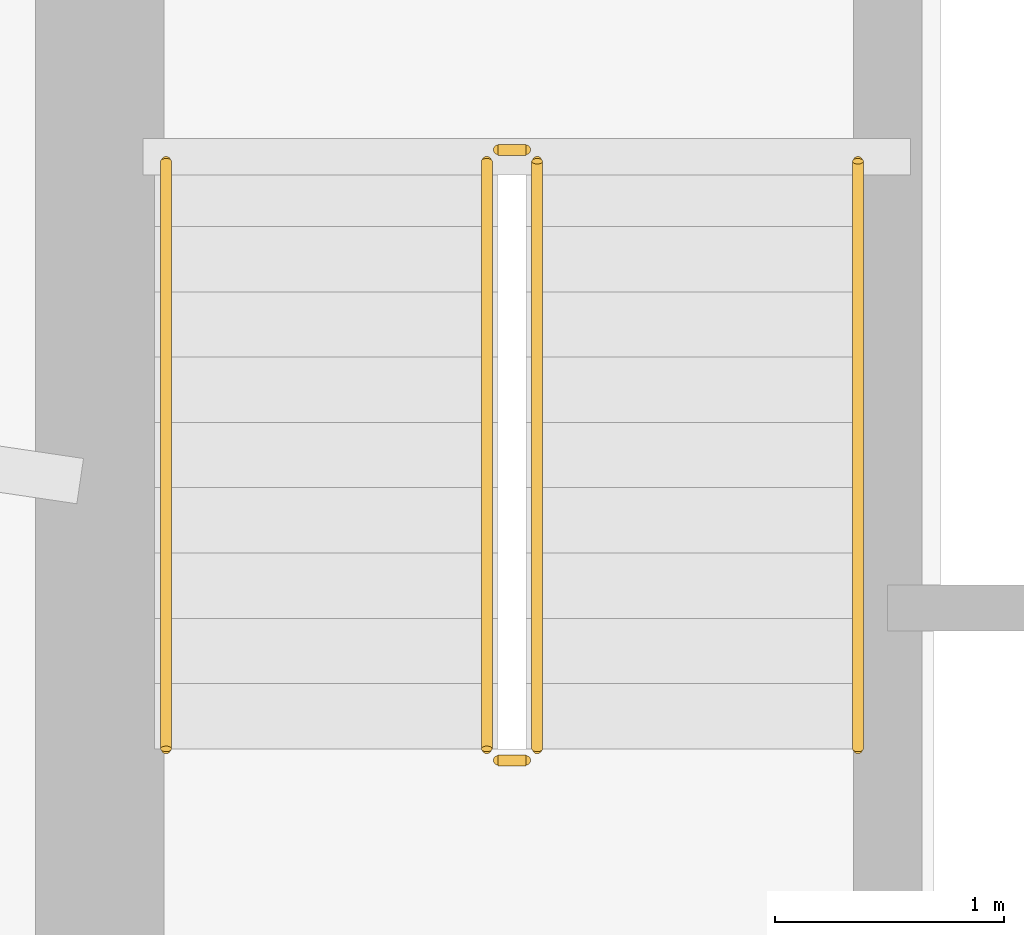
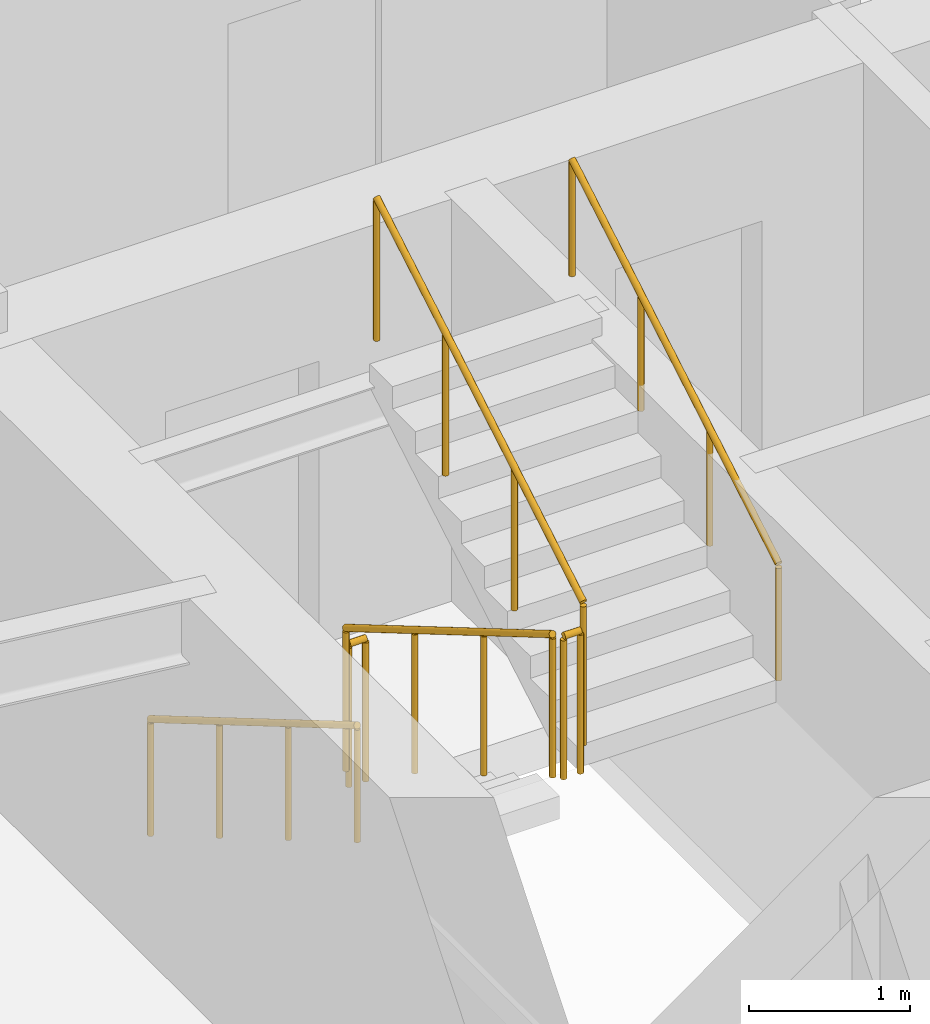
# One storey, part 18 of 19: 6 railings.
"""IFC4 building model written with IfcOpenShell, lengths in metres."""

from ifc_helpers import new_model, si_unit, direction, frame, origin, origin_2d, place, context, subcontext, project, spatial, circle, extrude, material, type_object, element, save


model = new_model("IFC4")

# Units and contexts
model_context = context("Model", 3, precision=1e-05, world=origin(), true_north=direction((0.0, 1.0)))
body_context = subcontext(model_context, "Body", "Model", "MODEL_VIEW")
ifc_project = project(units=[si_unit("LENGTHUNIT", "METRE"), si_unit("AREAUNIT", "SQUARE_METRE"), si_unit("VOLUMEUNIT", "CUBIC_METRE"), si_unit("PLANEANGLEUNIT", "RADIAN"), si_unit("MASSUNIT", "GRAM", prefix="KILO")], contexts=[model_context])

# Site, building, storey
site_placement = place(None, origin())
site = spatial("IfcSite", under=ifc_project, at=site_placement, CompositionType="ELEMENT")
building_placement = place(site_placement, origin())
building = spatial("IfcBuilding", under=site, at=building_placement, Name="Qobustan Lattice House", CompositionType="ELEMENT")
storey_placement = place(building_placement, frame((0.0, 0.0, 85.699951171875)))
storey = spatial("IfcBuildingStorey", under=building, at=storey_placement, Name="L23", CompositionType="ELEMENT", Elevation=85.699951171875)

# Railings
ifc_material_1 = material(Name="Brushed stainless steel handrail", Category="steel")
railing_type_1 = type_object("IfcRailingType", Name="RAL-HR-920", PredefinedType="HANDRAIL", material=ifc_material_1)
railing_1_placement = place(storey_placement, frame((-18.199951171875, 3.5, 0.16748046875)))
element("IfcRailing", 1, at=railing_1_placement, inside=storey, type_object=railing_type_1, Name="L23 ST-W1 stair handrail 1", PredefinedType="HANDRAIL", context=body_context, shape_type="SweptSolid", body=[
    extrude(circle(Radius=0.02392578125, at=origin_2d()), frame((0.0, 0.0, 0.8759765625), z_axis=(0.0, -0.862113467892, 0.50671527358), x_axis=(1.0, 0.0, 0.0)), (0.0, 0.0, 1.0), 2.97509765625),
    extrude(circle(Radius=0.02099609375, at=origin_2d()), origin(), (0.0, 0.0, 1.0), 0.851806640625),
    extrude(circle(Radius=0.02099609375, at=origin_2d()), frame((0.0, -0.85498046875, 0.50244140625)), (0.0, 0.0, 1.0), 0.851806640625),
    extrude(circle(Radius=0.02099609375, at=origin_2d()), frame((0.0, -1.7099609375, 1.005126953125)), (0.0, 0.0, 1.0), 0.851806640625),
    extrude(circle(Radius=0.02099609375, at=origin_2d()), frame((0.0, -2.56494140625, 1.507568359375)), (0.0, 0.0, 1.0), 0.851806640625),
])
railing_2_placement = place(storey_placement, frame((-15.179931640625, 0.93505859375, 1.842529296875)))
element("IfcRailing", 2, at=railing_2_placement, inside=storey, type_object=railing_type_1, Name="L23 ST-W1 stair handrail 2", PredefinedType="HANDRAIL", context=body_context, shape_type="SweptSolid", body=[
    extrude(circle(Radius=0.02392578125, at=origin_2d()), frame((0.0, 0.0, 0.8759765625), z_axis=(0.0, 0.862113467892, 0.50671527358), x_axis=(-1.0, 0.0, 0.0)), (0.0, 0.0, 1.0), 2.97509765625),
    extrude(circle(Radius=0.02099609375, at=origin_2d()), origin(), (0.0, 0.0, 1.0), 0.851806640625),
    extrude(circle(Radius=0.02099609375, at=origin_2d()), frame((0.0, 0.85498046875, 0.50244140625)), (0.0, 0.0, 1.0), 0.851806640625),
    extrude(circle(Radius=0.02099609375, at=origin_2d()), frame((0.0, 1.7099609375, 1.005126953125)), (0.0, 0.0, 1.0), 0.851806640625),
    extrude(circle(Radius=0.02099609375, at=origin_2d()), frame((0.0, 2.56494140625, 1.507568359375)), (0.0, 0.0, 1.0), 0.851806640625),
])
ifc_material_2 = material(Name="Painted galvanized steel guardrail", Category="steel")
railing_type_2 = type_object("IfcRailingType", Name="RAL-STG-1150", PredefinedType="GUARDRAIL", material=ifc_material_2)
railing_3_placement = place(storey_placement, frame((-16.800048828125, 3.5, 0.16748046875)))
element("IfcRailing", 3, at=railing_3_placement, inside=storey, type_object=railing_type_2, Name="L23 ST-W1 stair guard 1", PredefinedType="GUARDRAIL", context=body_context, shape_type="SweptSolid", body=[
    extrude(circle(Radius=0.02392578125, at=origin_2d()), frame((0.0, 0.0, 1.076171875), z_axis=(0.0, -0.862113467892, 0.50671527358), x_axis=(1.0, 0.0, 0.0)), (0.0, 0.0, 1.0), 2.97509765625),
    extrude(circle(Radius=0.02099609375, at=origin_2d()), origin(), (0.0, 0.0, 1.0), 1.052001953125),
    extrude(circle(Radius=0.02099609375, at=origin_2d()), frame((0.0, -0.85498046875, 0.50244140625)), (0.0, 0.0, 1.0), 1.052001953125),
    extrude(circle(Radius=0.02099609375, at=origin_2d()), frame((0.0, -1.7099609375, 1.005126953125)), (0.0, 0.0, 1.0), 1.052001953125),
    extrude(circle(Radius=0.02099609375, at=origin_2d()), frame((0.0, -2.56494140625, 1.507568359375)), (0.0, 0.0, 1.0), 1.052001953125),
])
railing_4_placement = place(storey_placement, frame((-16.75, 0.885009765625, 1.675048828125)))
element("IfcRailing", 4, at=railing_4_placement, inside=storey, type_object=railing_type_2, Name="L23 ST-W1 stair guard 2", PredefinedType="GUARDRAIL", context=body_context, shape_type="SweptSolid", body=[
    extrude(circle(Radius=0.02392578125, at=origin_2d()), frame((0.0, 0.0, 1.076171875), z_axis=(1.0, 0.0, 0.0), x_axis=(0.0, 1.0, 0.0)), (0.0, 0.0, 1.0), 0.1201171875),
    extrude(circle(Radius=0.02099609375, at=origin_2d()), origin(), (0.0, 0.0, 1.0), 1.052001953125),
    extrude(circle(Radius=0.02099609375, at=origin_2d()), frame((0.1201171875, 0.0, 0.0)), (0.0, 0.0, 1.0), 1.052001953125),
])
railing_5_placement = place(storey_placement, frame((-16.580078125, 0.93505859375, 1.842529296875)))
element("IfcRailing", 5, at=railing_5_placement, inside=storey, type_object=railing_type_2, Name="L23 ST-W1 stair guard 3", PredefinedType="GUARDRAIL", context=body_context, shape_type="SweptSolid", body=[
    extrude(circle(Radius=0.02392578125, at=origin_2d()), frame((0.0, 0.0, 1.076171875), z_axis=(0.0, 0.862113467892, 0.50671527358), x_axis=(-1.0, 0.0, 0.0)), (0.0, 0.0, 1.0), 2.97509765625),
    extrude(circle(Radius=0.02099609375, at=origin_2d()), origin(), (0.0, 0.0, 1.0), 1.052001953125),
    extrude(circle(Radius=0.02099609375, at=origin_2d()), frame((0.0, 0.85498046875, 0.50244140625)), (0.0, 0.0, 1.0), 1.052001953125),
    extrude(circle(Radius=0.02099609375, at=origin_2d()), frame((0.0, 1.7099609375, 1.005126953125)), (0.0, 0.0, 1.0), 1.052001953125),
    extrude(circle(Radius=0.02099609375, at=origin_2d()), frame((0.0, 2.56494140625, 1.507568359375)), (0.0, 0.0, 1.0), 1.052001953125),
])
railing_6_placement = place(storey_placement, frame((-16.75, 3.550048828125, 0.0)))
element("IfcRailing", 6, at=railing_6_placement, inside=storey, type_object=railing_type_2, Name="L23 ST-W1 stair guard 4", PredefinedType="GUARDRAIL", context=body_context, shape_type="SweptSolid", body=[
    extrude(circle(Radius=0.02392578125, at=origin_2d()), frame((0.0, 0.0, 1.076171875), z_axis=(1.0, 0.0, 0.0), x_axis=(0.0, 1.0, 0.0)), (0.0, 0.0, 1.0), 0.1201171875),
    extrude(circle(Radius=0.02099609375, at=origin_2d()), origin(), (0.0, 0.0, 1.0), 1.052001953125),
    extrude(circle(Radius=0.02099609375, at=origin_2d()), frame((0.1201171875, 0.0, 0.0)), (0.0, 0.0, 1.0), 1.052001953125),
])

save(model, "model.ifc")
